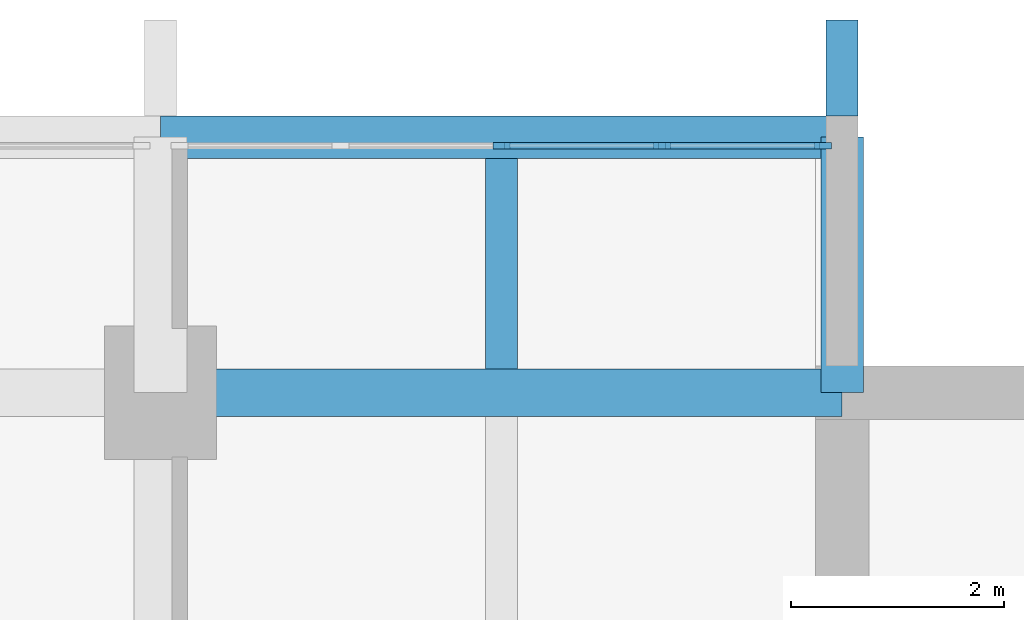
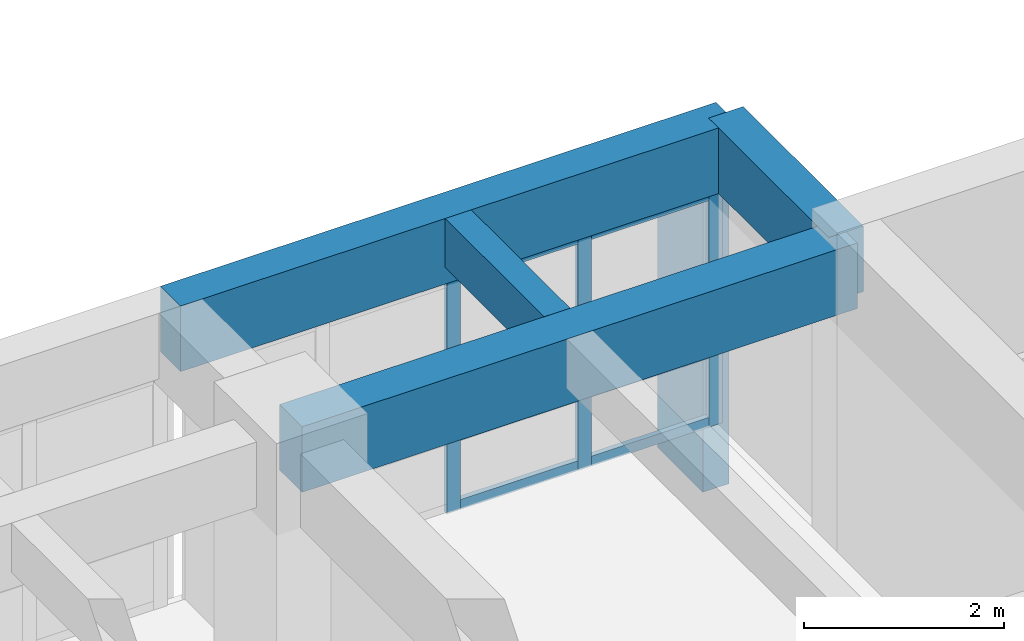
# One storey, part 7 of 19: 10 members, 4 beams, 1 element without a shape of its own.
"""IFC4 building model written with IfcOpenShell, lengths in metres."""

from ifc_helpers import new_model, si_unit, direction, frame, origin, origin_2d, place, context, subcontext, project, spatial, rectangle, extrude, material, layer, layer_set, material_profile, profile_set, type_object, element, aggregate, save


model = new_model("IFC4")

# Units and contexts
model_context = context("Model", 3, precision=1e-05, world=origin(), true_north=direction((0.0, 1.0)))
body_context = subcontext(model_context, "Body", "Model", "MODEL_VIEW")
ifc_project = project(units=[si_unit("LENGTHUNIT", "METRE"), si_unit("AREAUNIT", "SQUARE_METRE"), si_unit("VOLUMEUNIT", "CUBIC_METRE"), si_unit("PLANEANGLEUNIT", "RADIAN"), si_unit("MASSUNIT", "GRAM", prefix="KILO")], contexts=[model_context])

# Site, building, storey
site_placement = place(None, origin())
site = spatial("IfcSite", under=ifc_project, at=site_placement, CompositionType="ELEMENT")
building_placement = place(site_placement, origin())
building = spatial("IfcBuilding", under=site, at=building_placement, Name="Fogon Plaza Fire Station and Headquarters Tower", CompositionType="ELEMENT")
storey_placement = place(building_placement, frame((0.0, 0.0, 24.89990234375)))
storey = spatial("IfcBuildingStorey", under=building, at=storey_placement, Name="L06", CompositionType="ELEMENT", Elevation=24.89990234375)

# Beams
ifc_material_1 = material(Name="Concrete C40", Category="concrete")
ifc_material_profile_1 = material_profile(ifc_material_1, rectangle(XDim=0.39990234375, YDim=0.800048828125, at=origin_2d()), Name="RC 400x800")
ifc_profile_set_1 = profile_set([ifc_material_profile_1], Name="Concrete C40")
beam_type_1 = type_object("IfcBeamType", Name="BEAM RC 400x800", PredefinedType="BEAM", material=ifc_profile_set_1)
beam_1_placement = place(storey_placement, frame((57.60009765625, 55.199951171875, 3.280029296875), z_axis=(1.0, 0.0, 0.0), x_axis=(0.0, 1.0, 0.0)))
element("IfcBeam", 1, at=beam_1_placement, inside=storey, type_object=beam_type_1, Name="beam-L06-050", PredefinedType="BEAM", context=body_context, shape_type="SweptSolid", body=[
    extrude(rectangle(XDim=0.39990234375, YDim=0.800048828125, at=origin_2d()), origin(), (0.0, 0.0, 1.0), 6.39990234375),
])
ifc_material_2 = material(Name="Concrete C40", Category="concrete")
ifc_material_profile_2 = material_profile(ifc_material_2, rectangle(XDim=0.39990234375, YDim=0.800048828125, at=origin_2d()), Name="RC 400x800")
ifc_profile_set_2 = profile_set([ifc_material_profile_2], Name="Concrete C40")
beam_type_2 = type_object("IfcBeamType", Name="BEAM RC 400x800 SPAN 0.0 TO 3.0 M", PredefinedType="BEAM", material=ifc_profile_set_2)
beam_2_placement = place(storey_placement, frame((64.0, 52.800048828125, 3.280029296875), z_axis=(0.0, 1.0, 0.0), x_axis=(-1.0, 0.0, 0.0)))
element("IfcBeam", 2, at=beam_2_placement, inside=storey, type_object=beam_type_2, Name="beam-L06-054", PredefinedType="BEAM", context=body_context, shape_type="SweptSolid", body=[
    extrude(rectangle(XDim=0.39990234375, YDim=0.800048828125, at=origin_2d()), origin(), (0.0, 0.0, 1.0), 2.39990234375),
])
ifc_material_3 = material(Name="Concrete C40", Category="concrete")
ifc_material_profile_3 = material_profile(ifc_material_3, rectangle(XDim=0.449951171875, YDim=0.800048828125, at=origin_2d()), Name="RC 450x800")
ifc_profile_set_3 = profile_set([ifc_material_profile_3], Name="Concrete C40")
beam_type_3 = type_object("IfcBeamType", Name="BEAM RC 450x800", PredefinedType="BEAM", material=ifc_profile_set_3)
beam_3_placement = place(storey_placement, frame((57.60009765625, 52.800048828125, 3.280029296875), z_axis=(1.0, 0.0, 0.0), x_axis=(0.0, 1.0, 0.0)))
element("IfcBeam", 3, at=beam_3_placement, inside=storey, type_object=beam_type_3, Name="beam-L06-038", PredefinedType="BEAM", context=body_context, shape_type="SweptSolid", body=[
    extrude(rectangle(XDim=0.449951171875, YDim=0.800048828125, at=origin_2d()), origin(), (0.0, 0.0, 1.0), 6.39990234375),
])

# Curtain wall, members
ifc_material_4 = material(Name="Aluminium and glass", Category="aluminium")
ifc_layer = layer(ifc_material_4, 0.14990234375)
ifc_layer_set = layer_set([ifc_layer], Name="Aluminium and glass")
curtain_wall_type = type_object("IfcCurtainWallType", Name="Unitised Curtain Wall Run 6100x2880", PredefinedType="NOTDEFINED", material=ifc_layer_set)
curtain_wall_placement = place(storey_placement, origin())
curtain_wall = element("IfcCurtainWall", 4, at=curtain_wall_placement, inside=storey, type_object=curtain_wall_type, Name="CW-6100x2880 N6 L06", PredefinedType="NOTDEFINED")
ifc_material_5 = material(Name="Aluminium", Category="aluminium")
ifc_material_profile_4 = material_profile(ifc_material_5, rectangle(XDim=0.06005859375, YDim=0.159912109375, at=origin_2d()), Name="Curtain Wall Mullion 60x160")
ifc_profile_set_4 = profile_set([ifc_material_profile_4], Name="Aluminium")
member_type_1 = type_object("IfcMemberType", Name="Curtain Wall Mullion 60x160", PredefinedType="MULLION", material=ifc_profile_set_4)
member_1_placement = place(storey_placement, frame((60.800048828125, 55.1201171875, 0.0), z_axis=(0.0, 0.0, 1.0), x_axis=(0.0, 1.0, 0.0)))
member_1 = element("IfcMember", 5, at=member_1_placement, type_object=member_type_1, Name="CW-6100x2880 mullion 3", PredefinedType="MULLION", context=body_context, shape_type="SweptSolid", body=[
    extrude(rectangle(XDim=0.06005859375, YDim=0.159912109375, at=origin_2d()), origin(), (0.0, 0.0, 1.0), 2.880126953125),
])
member_2_placement = place(storey_placement, frame((62.31005859375, 55.1201171875, 0.0), z_axis=(0.0, 0.0, 1.0), x_axis=(0.0, 1.0, 0.0)))
member_2 = element("IfcMember", 6, at=member_2_placement, type_object=member_type_1, Name="CW-6100x2880 mullion 4", PredefinedType="MULLION", context=body_context, shape_type="SweptSolid", body=[
    extrude(rectangle(XDim=0.06005859375, YDim=0.159912109375, at=origin_2d()), origin(), (0.0, 0.0, 1.0), 2.880126953125),
])
member_3_placement = place(storey_placement, frame((63.820068359375, 55.1201171875, 0.0), z_axis=(0.0, 0.0, 1.0), x_axis=(0.0, 1.0, 0.0)))
member_3 = element("IfcMember", 7, at=member_3_placement, type_object=member_type_1, Name="CW-6100x2880 mullion 5", PredefinedType="MULLION", context=body_context, shape_type="SweptSolid", body=[
    extrude(rectangle(XDim=0.06005859375, YDim=0.159912109375, at=origin_2d()), origin(), (0.0, 0.0, 1.0), 2.880126953125),
])
ifc_material_6 = material(Name="Aluminium", Category="aluminium")
ifc_material_profile_5 = material_profile(ifc_material_6, rectangle(XDim=0.06005859375, YDim=0.1201171875, at=origin_2d()), Name="Curtain Wall Transom 60x120")
ifc_profile_set_5 = profile_set([ifc_material_profile_5], Name="Aluminium")
member_type_2 = type_object("IfcMemberType", Name="Curtain Wall Transom 60x120", PredefinedType="USERDEFINED", material=ifc_profile_set_5)
member_4_placement = place(storey_placement, frame((60.830078125, 55.1201171875, 0.06005859375), z_axis=(1.0, 0.0, 0.0), x_axis=(0.0, 1.0, 0.0)))
member_4 = element("IfcMember", 8, at=member_4_placement, type_object=member_type_2, Name="CW-6100x2880 transom 3.1", ObjectType="TRANSOM", PredefinedType="USERDEFINED", context=body_context, shape_type="SweptSolid", body=[
    extrude(rectangle(XDim=0.06005859375, YDim=0.1201171875, at=origin_2d()), origin(), (0.0, 0.0, 1.0), 1.449951171875),
])
member_5_placement = place(storey_placement, frame((60.830078125, 55.1201171875, 0.900146484375), z_axis=(1.0, 0.0, 0.0), x_axis=(0.0, 1.0, 0.0)))
member_5 = element("IfcMember", 9, at=member_5_placement, type_object=member_type_2, Name="CW-6100x2880 transom 3.2", ObjectType="TRANSOM", PredefinedType="USERDEFINED", context=body_context, shape_type="SweptSolid", body=[
    extrude(rectangle(XDim=0.06005859375, YDim=0.1201171875, at=origin_2d()), origin(), (0.0, 0.0, 1.0), 1.449951171875),
])
member_6_placement = place(storey_placement, frame((60.830078125, 55.1201171875, 2.820068359375), z_axis=(1.0, 0.0, 0.0), x_axis=(0.0, 1.0, 0.0)))
member_6 = element("IfcMember", 10, at=member_6_placement, type_object=member_type_2, Name="CW-6100x2880 transom 3.3", ObjectType="TRANSOM", PredefinedType="USERDEFINED", context=body_context, shape_type="SweptSolid", body=[
    extrude(rectangle(XDim=0.06005859375, YDim=0.1201171875, at=origin_2d()), origin(), (0.0, 0.0, 1.0), 1.449951171875),
])
member_7_placement = place(storey_placement, frame((62.340087890625, 55.1201171875, 0.06005859375), z_axis=(1.0, 0.0, 0.0), x_axis=(0.0, 1.0, 0.0)))
member_7 = element("IfcMember", 11, at=member_7_placement, type_object=member_type_2, Name="CW-6100x2880 transom 4.1", ObjectType="TRANSOM", PredefinedType="USERDEFINED", context=body_context, shape_type="SweptSolid", body=[
    extrude(rectangle(XDim=0.06005859375, YDim=0.1201171875, at=origin_2d()), origin(), (0.0, 0.0, 1.0), 1.449951171875),
])
member_8_placement = place(storey_placement, frame((62.340087890625, 55.1201171875, 0.900146484375), z_axis=(1.0, 0.0, 0.0), x_axis=(0.0, 1.0, 0.0)))
member_8 = element("IfcMember", 12, at=member_8_placement, type_object=member_type_2, Name="CW-6100x2880 transom 4.2", ObjectType="TRANSOM", PredefinedType="USERDEFINED", context=body_context, shape_type="SweptSolid", body=[
    extrude(rectangle(XDim=0.06005859375, YDim=0.1201171875, at=origin_2d()), origin(), (0.0, 0.0, 1.0), 1.449951171875),
])
member_9_placement = place(storey_placement, frame((62.340087890625, 55.1201171875, 2.820068359375), z_axis=(1.0, 0.0, 0.0), x_axis=(0.0, 1.0, 0.0)))
member_9 = element("IfcMember", 13, at=member_9_placement, type_object=member_type_2, Name="CW-6100x2880 transom 4.3", ObjectType="TRANSOM", PredefinedType="USERDEFINED", context=body_context, shape_type="SweptSolid", body=[
    extrude(rectangle(XDim=0.06005859375, YDim=0.1201171875, at=origin_2d()), origin(), (0.0, 0.0, 1.0), 1.449951171875),
])
aggregate(curtain_wall, [member_1, member_2, member_3, member_4, member_5, member_6, member_7, member_8, member_9])

# Beam
ifc_material_7 = material(Name="Concrete C40", Category="concrete")
ifc_material_profile_6 = material_profile(ifc_material_7, rectangle(XDim=0.300048828125, YDim=0.60009765625, at=origin_2d()), Name="RC 300x600")
ifc_profile_set_6 = profile_set([ifc_material_profile_6], Name="Concrete C40")
beam_type_4 = type_object("IfcBeamType", Name="JOIST RC 300x600 SPAN 0.0 TO 3.0 M", PredefinedType="JOIST", material=ifc_profile_set_6)
beam_4_placement = place(storey_placement, frame((60.800048828125, 53.02490234375, 3.380126953125), z_axis=(0.0, 1.0, 0.0), x_axis=(-1.0, 0.0, 0.0)))
element("IfcBeam", 14, at=beam_4_placement, inside=storey, type_object=beam_type_4, Name="beam-L06-078", PredefinedType="JOIST", context=body_context, shape_type="SweptSolid", body=[
    extrude(rectangle(XDim=0.300048828125, YDim=0.60009765625, at=origin_2d()), origin(), (0.0, 0.0, 1.0), 1.97509765625),
])

# Member
ifc_material_8 = material(Name="Concrete C40 precast", Category="concrete")
ifc_material_profile_7 = material_profile(ifc_material_8, rectangle(XDim=0.300048828125, YDim=0.89990234375, at=origin_2d()), Name="Precast Concrete Post 300x900")
ifc_profile_set_7 = profile_set([ifc_material_profile_7], Name="Concrete C40 precast")
member_type_3 = type_object("IfcMemberType", Name="Precast Concrete Post 300x900", PredefinedType="POST", material=ifc_profile_set_7)
member_10_placement = place(storey_placement, frame((64.0, 55.85009765625, -1.02001953125), z_axis=(0.0, 0.0, 1.0), x_axis=(1.0, 0.0, 0.0)))
element("IfcMember", 15, at=member_10_placement, inside=storey, type_object=member_type_3, Name="Precast Post N L06", PredefinedType="POST", context=body_context, shape_type="SweptSolid", body=[
    extrude(rectangle(XDim=0.300048828125, YDim=0.89990234375, at=origin_2d()), origin(), (0.0, 0.0, 1.0), 3.900146484375),
])

save(model, "model.ifc")
